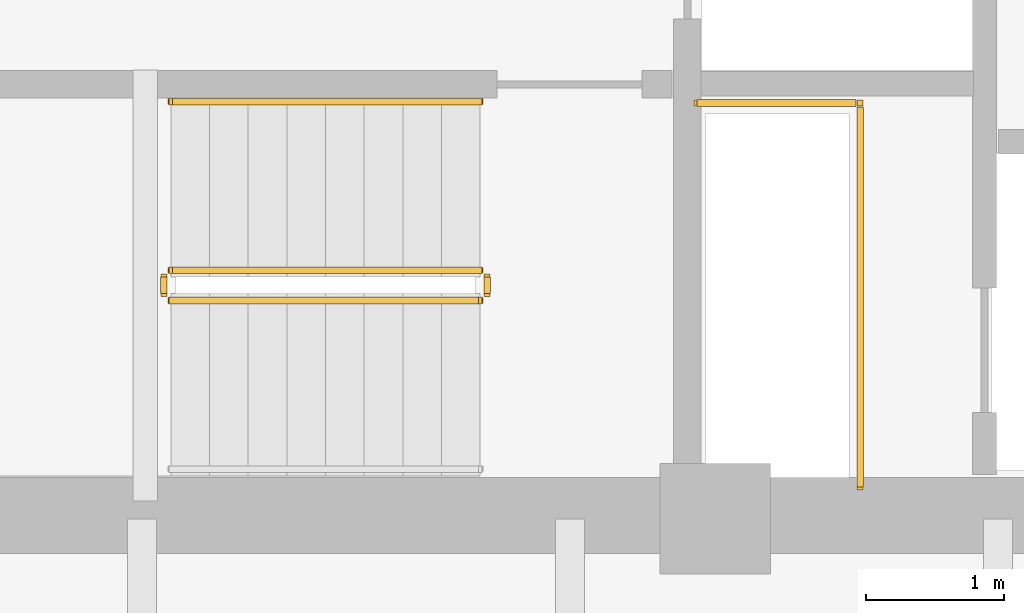
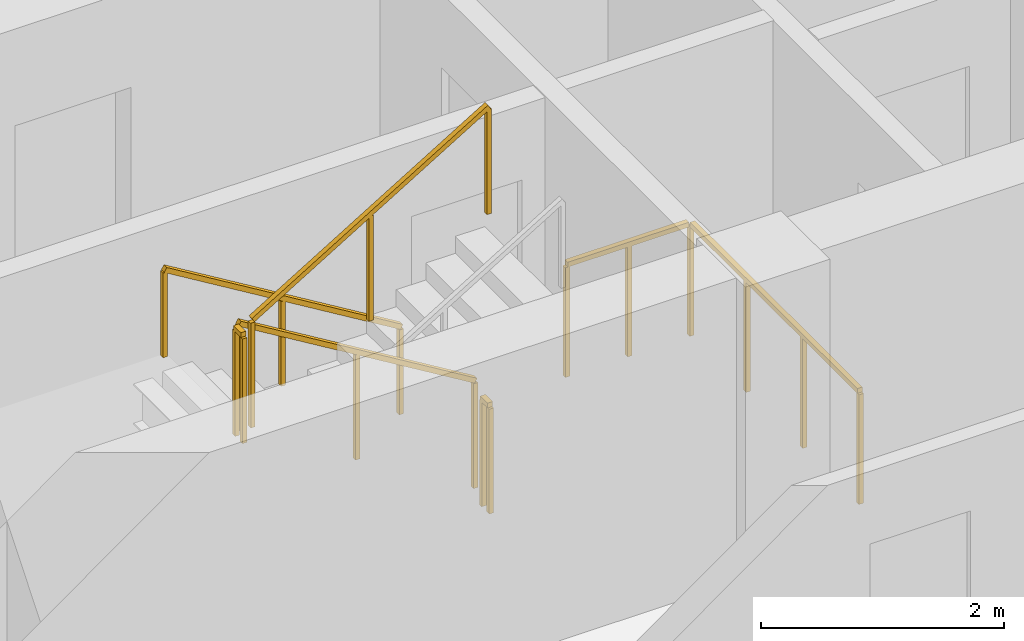
# One storey, part 9 of 13: 6 railings.
"""IFC4 building model written with IfcOpenShell, lengths in metres."""

from ifc_helpers import new_model, si_unit, direction, frame, origin, origin_2d, place, context, subcontext, project, spatial, rectangle, extrude, material, type_object, element, save


model = new_model("IFC4")

# Units and contexts
model_context = context("Model", 3, precision=1e-05, world=origin(), true_north=direction((0.0, 1.0)))
body_context = subcontext(model_context, "Body", "Model", "MODEL_VIEW")
ifc_project = project(units=[si_unit("LENGTHUNIT", "METRE"), si_unit("AREAUNIT", "SQUARE_METRE"), si_unit("VOLUMEUNIT", "CUBIC_METRE"), si_unit("PLANEANGLEUNIT", "RADIAN"), si_unit("MASSUNIT", "GRAM", prefix="KILO")], contexts=[model_context])

# Site, building, storey
site_placement = place(None, origin())
site = spatial("IfcSite", under=ifc_project, at=site_placement, CompositionType="ELEMENT")
building_placement = place(site_placement, origin())
building = spatial("IfcBuilding", under=site, at=building_placement, Name="Qhalaya Broadcast Tower", CompositionType="ELEMENT")
storey_placement = place(building_placement, frame((0.0, 0.0, 44.39990234375)))
storey = spatial("IfcBuildingStorey", under=building, at=storey_placement, Name="L12", CompositionType="ELEMENT", Elevation=44.39990234375)

# Railings
ifc_material = material(Name="Powder-Coated Galvanised Steel", Category="steel")
railing_type_1 = type_object("IfcRailingType", Name="Stair Wall Handrail 900", PredefinedType="HANDRAIL", material=ifc_material)
railing_1_placement = place(storey_placement, frame((-3.75, -5.72998046875, 0.16943359375)))
element("IfcRailing", 1, at=railing_1_placement, inside=storey, type_object=railing_type_1, Name="L12 ST-2 Stair Handrail 1", PredefinedType="HANDRAIL", context=body_context, shape_type="SweptSolid", body=[
    extrude(rectangle(XDim=0.048095703125, YDim=0.048095703125, at=origin_2d()), frame((0.0, 0.0, 0.8759765625), z_axis=(-0.855512035549, 0.0, 0.517782924622), x_axis=(0.0, -1.0, 0.0)), (0.0, 0.0, 1.0), 2.618408203125),
    extrude(rectangle(XDim=0.0419921875, YDim=0.0419921875, at=origin_2d()), origin(), (0.0, 0.0, 1.0), 0.849853515625),
    extrude(rectangle(XDim=0.0419921875, YDim=0.0419921875, at=origin_2d()), frame((-1.1201171875, 0.0, 0.677734375)), (0.0, 0.0, 1.0), 0.849853515625),
    extrude(rectangle(XDim=0.0419921875, YDim=0.0419921875, at=origin_2d()), frame((-2.239990234375, 0.0, 1.355712890625)), (0.0, 0.0, 1.0), 0.849853515625),
])
railing_type_2 = type_object("IfcRailingType", Name="Stair Well & Landing Guardrail 1100", PredefinedType="GUARDRAIL", material=ifc_material)
railing_2_placement = place(storey_placement, frame((-1.0, -8.52001953125, 0.0)))
element("IfcRailing", 2, at=railing_2_placement, inside=storey, type_object=railing_type_2, Name="L12 Service Riser Opening Safety Guard SRSR", PredefinedType="GUARDRAIL", context=body_context, shape_type="SweptSolid", body=[
    extrude(rectangle(XDim=0.048095703125, YDim=0.048095703125, at=origin_2d()), frame((0.0, 0.0, 1.1259765625), z_axis=(0.0, 1.0, 0.0), x_axis=(-1.0, 0.0, 0.0)), (0.0, 0.0, 1.0), 2.751220703125),
    extrude(rectangle(XDim=0.048095703125, YDim=0.048095703125, at=origin_2d()), frame((-0.02880859375, 2.780029296875, 1.1259765625), z_axis=(-1.0, 0.0, 0.0), x_axis=(0.0, -1.0, 0.0)), (0.0, 0.0, 1.0), 1.151123046875),
    extrude(rectangle(XDim=0.0419921875, YDim=0.0419921875, at=origin_2d()), origin(), (0.0, 0.0, 1.0), 1.099853515625),
    extrude(rectangle(XDim=0.0419921875, YDim=0.0419921875, at=origin_2d()), frame((0.0, 0.9267578125, 0.0)), (0.0, 0.0, 1.0), 1.099853515625),
    extrude(rectangle(XDim=0.0419921875, YDim=0.0419921875, at=origin_2d()), frame((0.0, 1.853271484375, 0.0)), (0.0, 0.0, 1.0), 1.099853515625),
    extrude(rectangle(XDim=0.0419921875, YDim=0.0419921875, at=origin_2d()), frame((0.0, 2.780029296875, 0.0)), (0.0, 0.0, 1.0), 1.099853515625),
    extrude(rectangle(XDim=0.0419921875, YDim=0.0419921875, at=origin_2d()), frame((-0.58984375, 2.780029296875, 0.0)), (0.0, 0.0, 1.0), 1.099853515625),
    extrude(rectangle(XDim=0.0419921875, YDim=0.0419921875, at=origin_2d()), frame((-1.179931640625, 2.780029296875, 0.0)), (0.0, 0.0, 1.0), 1.099853515625),
])
railing_3_placement = place(storey_placement, frame((-3.75, -6.949951171875, 0.16943359375)))
element("IfcRailing", 3, at=railing_3_placement, inside=storey, type_object=railing_type_2, Name="L12 ST-2 Stair Guard 1", PredefinedType="GUARDRAIL", context=body_context, shape_type="SweptSolid", body=[
    extrude(rectangle(XDim=0.048095703125, YDim=0.048095703125, at=origin_2d()), frame((0.0, 0.0, 1.076171875), z_axis=(-0.855512035549, 0.0, 0.517782924622), x_axis=(0.0, -1.0, 0.0)), (0.0, 0.0, 1.0), 2.618408203125),
    extrude(rectangle(XDim=0.0419921875, YDim=0.0419921875, at=origin_2d()), origin(), (0.0, 0.0, 1.0), 1.050048828125),
    extrude(rectangle(XDim=0.0419921875, YDim=0.0419921875, at=origin_2d()), frame((-1.1201171875, 0.0, 0.677734375)), (0.0, 0.0, 1.0), 1.050048828125),
    extrude(rectangle(XDim=0.0419921875, YDim=0.0419921875, at=origin_2d()), frame((-2.239990234375, 0.0, 1.355712890625)), (0.0, 0.0, 1.0), 1.050048828125),
])
railing_4_placement = place(storey_placement, frame((-6.0400390625, -7.0, 1.525146484375)))
element("IfcRailing", 4, at=railing_4_placement, inside=storey, type_object=railing_type_2, Name="L12 ST-2 Stair Guard 2", PredefinedType="GUARDRAIL", context=body_context, shape_type="SweptSolid", body=[
    extrude(rectangle(XDim=0.048095703125, YDim=0.048095703125, at=origin_2d()), frame((0.0, 0.0, 1.076171875), z_axis=(0.0, -1.0, 0.0), x_axis=(1.0, 0.0, 0.0)), (0.0, 0.0, 1.0), 0.1201171875),
    extrude(rectangle(XDim=0.0419921875, YDim=0.0419921875, at=origin_2d()), origin(), (0.0, 0.0, 1.0), 1.050048828125),
    extrude(rectangle(XDim=0.0419921875, YDim=0.0419921875, at=origin_2d()), frame((0.0, -0.1201171875, 0.0)), (0.0, 0.0, 1.0), 1.050048828125),
])
railing_5_placement = place(storey_placement, frame((-5.989990234375, -7.169921875, 1.694580078125)))
element("IfcRailing", 5, at=railing_5_placement, inside=storey, type_object=railing_type_2, Name="L12 ST-2 Stair Guard 3", PredefinedType="GUARDRAIL", context=body_context, shape_type="SweptSolid", body=[
    extrude(rectangle(XDim=0.048095703125, YDim=0.048095703125, at=origin_2d()), frame((0.0, 0.0, 1.076171875), z_axis=(0.855553338991, 0.0, 0.51771467445), x_axis=(0.0, 1.0, 0.0)), (0.0, 0.0, 1.0), 2.6181640625),
    extrude(rectangle(XDim=0.0419921875, YDim=0.0419921875, at=origin_2d()), origin(), (0.0, 0.0, 1.0), 1.050048828125),
    extrude(rectangle(XDim=0.0419921875, YDim=0.0419921875, at=origin_2d()), frame((1.1201171875, 0.0, 0.677734375)), (0.0, 0.0, 1.0), 1.050048828125),
    extrude(rectangle(XDim=0.0419921875, YDim=0.0419921875, at=origin_2d()), frame((2.239990234375, 0.0, 1.35546875)), (0.0, 0.0, 1.0), 1.050048828125),
])
railing_6_placement = place(storey_placement, frame((-3.699951171875, -7.0, 0.0)))
element("IfcRailing", 6, at=railing_6_placement, inside=storey, type_object=railing_type_2, Name="L12 ST-2 Stair Guard 4", PredefinedType="GUARDRAIL", context=body_context, shape_type="SweptSolid", body=[
    extrude(rectangle(XDim=0.048095703125, YDim=0.048095703125, at=origin_2d()), frame((0.0, 0.0, 1.076171875), z_axis=(0.0, -1.0, 0.0), x_axis=(1.0, 0.0, 0.0)), (0.0, 0.0, 1.0), 0.1201171875),
    extrude(rectangle(XDim=0.0419921875, YDim=0.0419921875, at=origin_2d()), origin(), (0.0, 0.0, 1.0), 1.050048828125),
    extrude(rectangle(XDim=0.0419921875, YDim=0.0419921875, at=origin_2d()), frame((0.0, -0.1201171875, 0.0)), (0.0, 0.0, 1.0), 1.050048828125),
])

save(model, "model.ifc")
